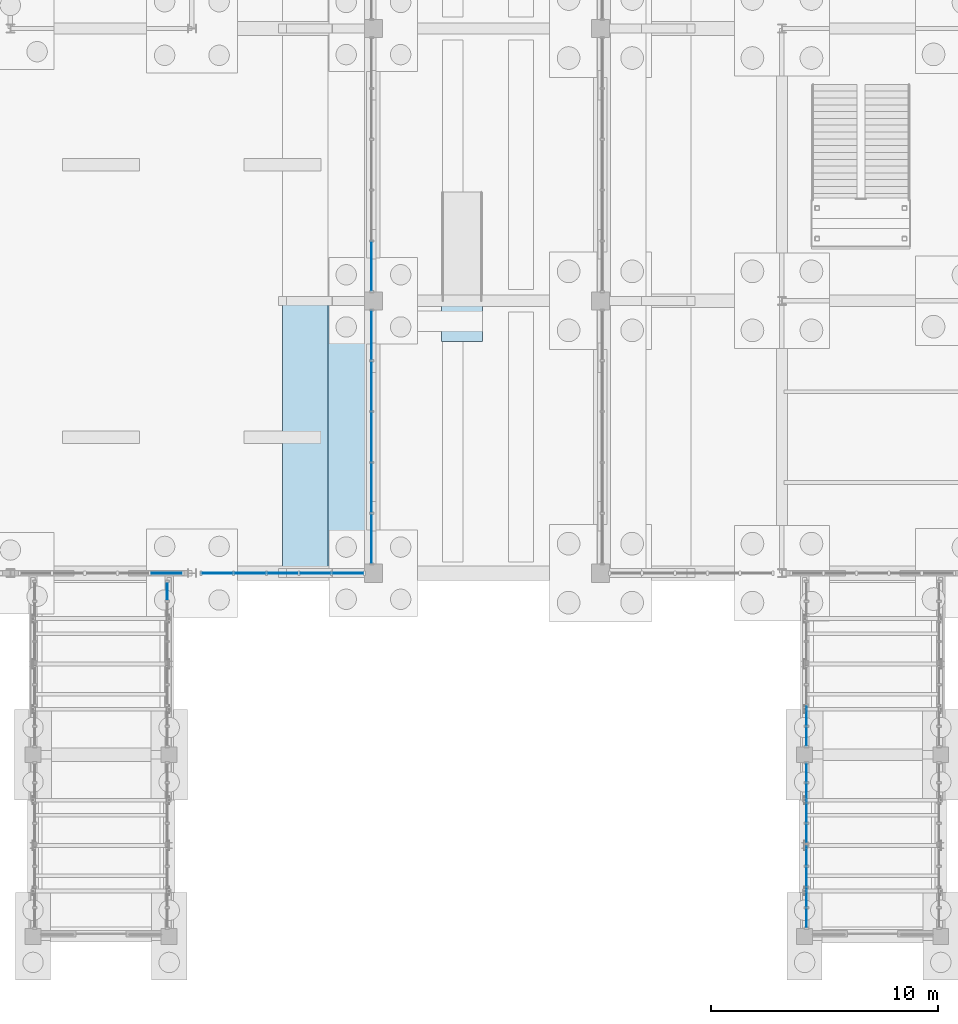
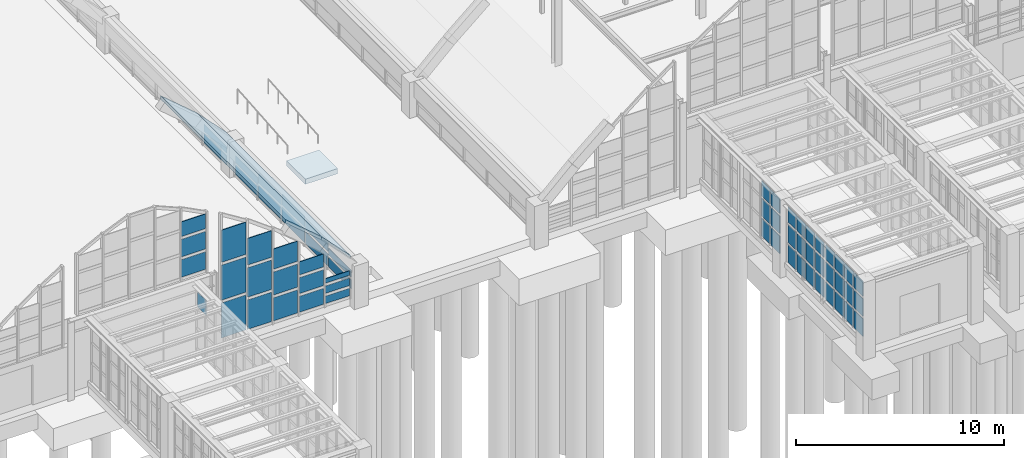
# One storey, part 79 of 129: 61 plates, 3 slabs, 9 elements without a shape of their own.
"""IFC4 building model written with IfcOpenShell, lengths in metres."""

from ifc_helpers import new_model, si_unit, direction, frame, origin, origin_2d, place, context, subcontext, project, spatial, polyline, rectangle, outline, extrude, material, layer, layer_set, type_object, element, aggregate, save


model = new_model("IFC4")

# Units and contexts
model_context = context("Model", 3, precision=1e-05, world=origin(), true_north=direction((0.0, 1.0)))
body_context = subcontext(model_context, "Body", "Model", "MODEL_VIEW")
ifc_project = project(units=[si_unit("LENGTHUNIT", "METRE"), si_unit("AREAUNIT", "SQUARE_METRE"), si_unit("VOLUMEUNIT", "CUBIC_METRE"), si_unit("PLANEANGLEUNIT", "RADIAN"), si_unit("MASSUNIT", "GRAM", prefix="KILO")], contexts=[model_context])

# Site, building, storey
site_placement = place(None, origin())
site = spatial("IfcSite", under=ifc_project, at=site_placement, CompositionType="ELEMENT")
building_placement = place(site_placement, origin())
building = spatial("IfcBuilding", under=site, at=building_placement, Name="Sitalva Quay Ferry Terminal", CompositionType="ELEMENT")
storey_placement = place(building_placement, origin())
storey = spatial("IfcBuildingStorey", under=building, at=storey_placement, Name="L01", CompositionType="ELEMENT", Elevation=0.0)

# Curtain wall, plates
ifc_material_1 = material(Name="Anodised Aluminium & Low-E Glazing", Category="aluminium")
ifc_layer_1 = layer(ifc_material_1, 0.159912109375)
ifc_layer_set_1 = layer_set([ifc_layer_1], Name="Anodised Aluminium & Low-E Glazing")
curtain_wall_type_1 = type_object("IfcCurtainWallType", Name="CW_VaultArch_Glazed", PredefinedType="USERDEFINED", material=ifc_layer_set_1)
curtain_wall_1_placement = place(storey_placement, origin())
curtain_wall_1 = element("IfcCurtainWall", 1, at=curtain_wall_1_placement, inside=storey, type_object=curtain_wall_type_1, Name="V2-E shallow-arch base glazing (CW-L01-013)", ObjectType="CURTAIN_WALL", PredefinedType="USERDEFINED")
ifc_material_2 = material(Name="Clear Low-Iron Arch Glazing", Category="glass")
ifc_layer_2 = layer(ifc_material_2, 0.02587890625)
ifc_layer_set_2 = layer_set([ifc_layer_2], Name="Clear Low-Iron Arch Glazing")
plate_type_1 = type_object("IfcPlateType", Name="Panel_Arch_IGU_26", PredefinedType="CURTAIN_PANEL", material=ifc_layer_set_2)
plate_1_placement = place(storey_placement, frame((31.919921875, 7.52001953125, 0.155029296875), z_axis=(0.0, 0.0, 1.0), x_axis=(0.0, 1.0, 0.0)))
plate_1 = element("IfcPlate", 2, at=plate_1_placement, type_object=plate_type_1, Name="CW-L01-013-P0-0", PredefinedType="CURTAIN_PANEL", context=body_context, shape_type="SweptSolid", body=[
    extrude(rectangle(XDim=2.169921875, YDim=0.02587890625, at=origin_2d()), origin(), (0.0, 0.0, 1.0), 0.544921875),
])
plate_2_placement = place(storey_placement, frame((31.919921875, 7.52001953125, 0.85498046875), z_axis=(0.0, 0.0, 1.0), x_axis=(0.0, 1.0, 0.0)))
plate_2 = element("IfcPlate", 3, at=plate_2_placement, type_object=plate_type_1, Name="CW-L01-013-P0-1", PredefinedType="CURTAIN_PANEL", context=body_context, shape_type="SweptSolid", body=[
    extrude(rectangle(XDim=2.169921875, YDim=0.02587890625, at=origin_2d()), origin(), (0.0, 0.0, 1.0), 0.389892578125),
])
plate_3_placement = place(storey_placement, frame((31.919921875, 9.760009765625, 0.1552734375), z_axis=(0.0, 0.0, 1.0), x_axis=(0.0, 1.0, 0.0)))
plate_3 = element("IfcPlate", 4, at=plate_3_placement, type_object=plate_type_1, Name="CW-L01-013-P1-0", PredefinedType="CURTAIN_PANEL", context=body_context, shape_type="SweptSolid", body=[
    extrude(rectangle(XDim=2.169921875, YDim=0.02587890625, at=origin_2d()), origin(), (0.0, 0.0, 1.0), 0.698486328125),
])
plate_4_placement = place(storey_placement, frame((31.919921875, 9.760009765625, 1.0087890625), z_axis=(0.0, 0.0, 1.0), x_axis=(0.0, 1.0, 0.0)))
plate_4 = element("IfcPlate", 5, at=plate_4_placement, type_object=plate_type_1, Name="CW-L01-013-P1-1", PredefinedType="CURTAIN_PANEL", context=body_context, shape_type="SweptSolid", body=[
    extrude(rectangle(XDim=2.169921875, YDim=0.02587890625, at=origin_2d()), origin(), (0.0, 0.0, 1.0), 0.543701171875),
])
plate_5_placement = place(storey_placement, frame((31.919921875, 12.0, 0.155029296875), z_axis=(0.0, 0.0, 1.0), x_axis=(0.0, 1.0, 0.0)))
plate_5 = element("IfcPlate", 6, at=plate_5_placement, type_object=plate_type_1, Name="CW-L01-013-P2-0", PredefinedType="CURTAIN_PANEL", context=body_context, shape_type="SweptSolid", body=[
    extrude(rectangle(XDim=2.169921875, YDim=0.02587890625, at=origin_2d()), origin(), (0.0, 0.0, 1.0), 0.775390625),
])
plate_6_placement = place(storey_placement, frame((31.919921875, 12.0, 1.08544921875), z_axis=(0.0, 0.0, 1.0), x_axis=(0.0, 1.0, 0.0)))
plate_6 = element("IfcPlate", 7, at=plate_6_placement, type_object=plate_type_1, Name="CW-L01-013-P2-1", PredefinedType="CURTAIN_PANEL", context=body_context, shape_type="SweptSolid", body=[
    extrude(rectangle(XDim=2.169921875, YDim=0.02587890625, at=origin_2d()), origin(), (0.0, 0.0, 1.0), 0.620361328125),
])
plate_7_placement = place(storey_placement, frame((31.919921875, 14.239990234375, 0.1552734375), z_axis=(0.0, 0.0, 1.0), x_axis=(0.0, 1.0, 0.0)))
plate_7 = element("IfcPlate", 8, at=plate_7_placement, type_object=plate_type_1, Name="CW-L01-013-P3-0", PredefinedType="CURTAIN_PANEL", context=body_context, shape_type="SweptSolid", body=[
    extrude(rectangle(XDim=2.169921875, YDim=0.02587890625, at=origin_2d()), origin(), (0.0, 0.0, 1.0), 0.698486328125),
])
plate_8_placement = place(storey_placement, frame((31.919921875, 14.239990234375, 1.0087890625), z_axis=(0.0, 0.0, 1.0), x_axis=(0.0, 1.0, 0.0)))
plate_8 = element("IfcPlate", 9, at=plate_8_placement, type_object=plate_type_1, Name="CW-L01-013-P3-1", PredefinedType="CURTAIN_PANEL", context=body_context, shape_type="SweptSolid", body=[
    extrude(rectangle(XDim=2.169921875, YDim=0.02587890625, at=origin_2d()), origin(), (0.0, 0.0, 1.0), 0.543701171875),
])
plate_9_placement = place(storey_placement, frame((31.919921875, 16.47998046875, 0.155029296875), z_axis=(0.0, 0.0, 1.0), x_axis=(0.0, 1.0, 0.0)))
plate_9 = element("IfcPlate", 10, at=plate_9_placement, type_object=plate_type_1, Name="CW-L01-013-P4-0", PredefinedType="CURTAIN_PANEL", context=body_context, shape_type="SweptSolid", body=[
    extrude(rectangle(XDim=2.169921875, YDim=0.02587890625, at=origin_2d()), origin(), (0.0, 0.0, 1.0), 0.544921875),
])
plate_10_placement = place(storey_placement, frame((31.919921875, 16.47998046875, 0.85498046875), z_axis=(0.0, 0.0, 1.0), x_axis=(0.0, 1.0, 0.0)))
plate_10 = element("IfcPlate", 11, at=plate_10_placement, type_object=plate_type_1, Name="CW-L01-013-P4-1", PredefinedType="CURTAIN_PANEL", context=body_context, shape_type="SweptSolid", body=[
    extrude(rectangle(XDim=2.169921875, YDim=0.02587890625, at=origin_2d()), origin(), (0.0, 0.0, 1.0), 0.389892578125),
])
aggregate(curtain_wall_1, [plate_1, plate_2, plate_3, plate_4, plate_5, plate_6, plate_7, plate_8, plate_9, plate_10])

curtain_wall_2_placement = place(storey_placement, origin())
curtain_wall_2 = element("IfcCurtainWall", 12, at=curtain_wall_2_placement, inside=storey, type_object=curtain_wall_type_1, Name="V2-E shallow-arch base glazing (CW-L01-016)", ObjectType="CURTAIN_WALL", PredefinedType="USERDEFINED")
plate_11_placement = place(storey_placement, frame((31.919921875, 19.52001953125, 0.155029296875), z_axis=(0.0, 0.0, 1.0), x_axis=(0.0, 1.0, 0.0)))
plate_11 = element("IfcPlate", 13, at=plate_11_placement, type_object=plate_type_1, Name="CW-L01-016-P0-0", PredefinedType="CURTAIN_PANEL", context=body_context, shape_type="SweptSolid", body=[
    extrude(rectangle(XDim=2.169921875, YDim=0.02587890625, at=origin_2d()), origin(), (0.0, 0.0, 1.0), 0.544921875),
])
plate_12_placement = place(storey_placement, frame((31.919921875, 19.52001953125, 0.85498046875), z_axis=(0.0, 0.0, 1.0), x_axis=(0.0, 1.0, 0.0)))
plate_12 = element("IfcPlate", 14, at=plate_12_placement, type_object=plate_type_1, Name="CW-L01-016-P0-1", PredefinedType="CURTAIN_PANEL", context=body_context, shape_type="SweptSolid", body=[
    extrude(rectangle(XDim=2.169921875, YDim=0.02587890625, at=origin_2d()), origin(), (0.0, 0.0, 1.0), 0.389892578125),
])
aggregate(curtain_wall_2, [plate_11, plate_12])

ifc_material_3 = material(Name="Anodised Aluminium & Low-E Glazing", Category="aluminium")
ifc_layer_3 = layer(ifc_material_3, 0.159912109375)
ifc_layer_set_3 = layer_set([ifc_layer_3], Name="Anodised Aluminium & Low-E Glazing")
curtain_wall_type_2 = type_object("IfcCurtainWallType", Name="CW_Gable_Unitised", PredefinedType="USERDEFINED", material=ifc_layer_set_3)
curtain_wall_3_placement = place(storey_placement, origin())
curtain_wall_3 = element("IfcCurtainWall", 15, at=curtain_wall_3_placement, inside=storey, type_object=curtain_wall_type_2, Name="V2 south gable apex glazing (CW-L01-003)", ObjectType="CURTAIN_WALL", PredefinedType="USERDEFINED")
ifc_material_4 = material(Name="Acoustic Laminated Marine Glazing", Category="glass")
ifc_layer_4 = layer(ifc_material_4, 0.033935546875)
ifc_layer_set_4 = layer_set([ifc_layer_4], Name="Acoustic Laminated Marine Glazing")
plate_type_2 = type_object("IfcPlateType", Name="Panel_Marine_IGU_34", PredefinedType="CURTAIN_PANEL", material=ifc_layer_set_4)
plate_13_placement = place(storey_placement, frame((22.8798828125, 6.0, 4.514892578125), z_axis=(0.0, 0.0, 1.0), x_axis=(1.0, 0.0, 0.0)))
plate_13 = element("IfcPlate", 16, at=plate_13_placement, type_object=plate_type_2, Name="CW-L01-003-P4-0", PredefinedType="CURTAIN_PANEL", context=body_context, shape_type="SweptSolid", body=[
    extrude(rectangle(XDim=1.35009765625, YDim=0.033935546875, at=origin_2d()), origin(), (0.0, 0.0, 1.0), 1.029296875),
])
plate_14_placement = place(storey_placement, frame((22.8798828125, 6.0, 5.709228515625), z_axis=(0.0, 0.0, 1.0), x_axis=(1.0, 0.0, 0.0)))
plate_14 = element("IfcPlate", 17, at=plate_14_placement, type_object=plate_type_2, Name="CW-L01-003-P4-1", PredefinedType="CURTAIN_PANEL", context=body_context, shape_type="SweptSolid", body=[
    extrude(rectangle(XDim=1.35009765625, YDim=0.033935546875, at=origin_2d()), origin(), (0.0, 0.0, 1.0), 1.029296875),
])
plate_15_placement = place(storey_placement, frame((22.8798828125, 6.0, 6.903564453125), z_axis=(0.0, 0.0, 1.0), x_axis=(1.0, 0.0, 0.0)))
plate_15 = element("IfcPlate", 18, at=plate_15_placement, type_object=plate_type_2, Name="CW-L01-003-P4-2", PredefinedType="CURTAIN_PANEL", context=body_context, shape_type="SweptSolid", body=[
    extrude(rectangle(XDim=1.35009765625, YDim=0.033935546875, at=origin_2d()), origin(), (0.0, 0.0, 1.0), 0.8642578125),
])
aggregate(curtain_wall_3, [plate_13, plate_14, plate_15])

curtain_wall_4_placement = place(storey_placement, origin())
curtain_wall_4 = element("IfcCurtainWall", 19, at=curtain_wall_4_placement, inside=storey, type_object=curtain_wall_type_2, Name="V2 south gable east pointed glazing (CW-L01-004)", ObjectType="CURTAIN_WALL", PredefinedType="USERDEFINED")
plate_16_placement = place(storey_placement, frame((25.1201171875, 6.0, 0.1650390625), z_axis=(0.0, 0.0, 1.0), x_axis=(1.0, 0.0, 0.0)))
plate_16 = element("IfcPlate", 20, at=plate_16_placement, type_object=plate_type_2, Name="CW-L01-004-P0-0", PredefinedType="CURTAIN_PANEL", context=body_context, shape_type="SweptSolid", body=[
    extrude(rectangle(XDim=1.35009765625, YDim=0.033935546875, at=origin_2d()), origin(), (0.0, 0.0, 1.0), 2.05615234375),
])
plate_17_placement = place(storey_placement, frame((25.1201171875, 6.0, 2.38623046875), z_axis=(0.0, 0.0, 1.0), x_axis=(1.0, 0.0, 0.0)))
plate_17 = element("IfcPlate", 21, at=plate_17_placement, type_object=plate_type_2, Name="CW-L01-004-P0-1", PredefinedType="CURTAIN_PANEL", context=body_context, shape_type="SweptSolid", body=[
    extrude(rectangle(XDim=1.35009765625, YDim=0.033935546875, at=origin_2d()), origin(), (0.0, 0.0, 1.0), 2.05615234375),
])
plate_18_placement = place(storey_placement, frame((25.1201171875, 6.0, 4.607177734375), z_axis=(0.0, 0.0, 1.0), x_axis=(1.0, 0.0, 0.0)))
plate_18 = element("IfcPlate", 22, at=plate_18_placement, type_object=plate_type_2, Name="CW-L01-004-P0-2", PredefinedType="CURTAIN_PANEL", context=body_context, shape_type="SweptSolid", body=[
    extrude(rectangle(XDim=1.35009765625, YDim=0.033935546875, at=origin_2d()), origin(), (0.0, 0.0, 1.0), 1.89111328125),
])
plate_19_placement = place(storey_placement, frame((26.56005859375, 6.0, 0.1650390625), z_axis=(0.0, 0.0, 1.0), x_axis=(1.0, 0.0, 0.0)))
plate_19 = element("IfcPlate", 23, at=plate_19_placement, type_object=plate_type_2, Name="CW-L01-004-P1-0", PredefinedType="CURTAIN_PANEL", context=body_context, shape_type="SweptSolid", body=[
    extrude(rectangle(XDim=1.35009765625, YDim=0.033935546875, at=origin_2d()), origin(), (0.0, 0.0, 1.0), 1.7236328125),
])
plate_20_placement = place(storey_placement, frame((26.56005859375, 6.0, 2.0537109375), z_axis=(0.0, 0.0, 1.0), x_axis=(1.0, 0.0, 0.0)))
plate_20 = element("IfcPlate", 24, at=plate_20_placement, type_object=plate_type_2, Name="CW-L01-004-P1-1", PredefinedType="CURTAIN_PANEL", context=body_context, shape_type="SweptSolid", body=[
    extrude(rectangle(XDim=1.35009765625, YDim=0.033935546875, at=origin_2d()), origin(), (0.0, 0.0, 1.0), 1.7236328125),
])
plate_21_placement = place(storey_placement, frame((26.56005859375, 6.0, 3.9423828125), z_axis=(0.0, 0.0, 1.0), x_axis=(1.0, 0.0, 0.0)))
plate_21 = element("IfcPlate", 25, at=plate_21_placement, type_object=plate_type_2, Name="CW-L01-004-P1-2", PredefinedType="CURTAIN_PANEL", context=body_context, shape_type="SweptSolid", body=[
    extrude(rectangle(XDim=1.35009765625, YDim=0.033935546875, at=origin_2d()), origin(), (0.0, 0.0, 1.0), 1.55859375),
])
plate_22_placement = place(storey_placement, frame((28.0, 6.0, 0.1650390625), z_axis=(0.0, 0.0, 1.0), x_axis=(1.0, 0.0, 0.0)))
plate_22 = element("IfcPlate", 26, at=plate_22_placement, type_object=plate_type_2, Name="CW-L01-004-P2-0", PredefinedType="CURTAIN_PANEL", context=body_context, shape_type="SweptSolid", body=[
    extrude(rectangle(XDim=1.35009765625, YDim=0.033935546875, at=origin_2d()), origin(), (0.0, 0.0, 1.0), 1.349853515625),
])
plate_23_placement = place(storey_placement, frame((28.0, 6.0, 1.68017578125), z_axis=(0.0, 0.0, 1.0), x_axis=(1.0, 0.0, 0.0)))
plate_23 = element("IfcPlate", 27, at=plate_23_placement, type_object=plate_type_2, Name="CW-L01-004-P2-1", PredefinedType="CURTAIN_PANEL", context=body_context, shape_type="SweptSolid", body=[
    extrude(rectangle(XDim=1.35009765625, YDim=0.033935546875, at=origin_2d()), origin(), (0.0, 0.0, 1.0), 1.349853515625),
])
plate_24_placement = place(storey_placement, frame((28.0, 6.0, 3.19482421875), z_axis=(0.0, 0.0, 1.0), x_axis=(1.0, 0.0, 0.0)))
plate_24 = element("IfcPlate", 28, at=plate_24_placement, type_object=plate_type_2, Name="CW-L01-004-P2-2", PredefinedType="CURTAIN_PANEL", context=body_context, shape_type="SweptSolid", body=[
    extrude(rectangle(XDim=1.35009765625, YDim=0.033935546875, at=origin_2d()), origin(), (0.0, 0.0, 1.0), 1.184814453125),
])
plate_25_placement = place(storey_placement, frame((29.43994140625, 6.0, 0.1650390625), z_axis=(0.0, 0.0, 1.0), x_axis=(1.0, 0.0, 0.0)))
plate_25 = element("IfcPlate", 29, at=plate_25_placement, type_object=plate_type_2, Name="CW-L01-004-P3-0", PredefinedType="CURTAIN_PANEL", context=body_context, shape_type="SweptSolid", body=[
    extrude(rectangle(XDim=1.35009765625, YDim=0.033935546875, at=origin_2d()), origin(), (0.0, 0.0, 1.0), 0.931396484375),
])
plate_26_placement = place(storey_placement, frame((29.43994140625, 6.0, 1.26123046875), z_axis=(0.0, 0.0, 1.0), x_axis=(1.0, 0.0, 0.0)))
plate_26 = element("IfcPlate", 30, at=plate_26_placement, type_object=plate_type_2, Name="CW-L01-004-P3-1", PredefinedType="CURTAIN_PANEL", context=body_context, shape_type="SweptSolid", body=[
    extrude(rectangle(XDim=1.35009765625, YDim=0.033935546875, at=origin_2d()), origin(), (0.0, 0.0, 1.0), 0.931396484375),
])
plate_27_placement = place(storey_placement, frame((29.43994140625, 6.0, 2.357421875), z_axis=(0.0, 0.0, 1.0), x_axis=(1.0, 0.0, 0.0)))
plate_27 = element("IfcPlate", 31, at=plate_27_placement, type_object=plate_type_2, Name="CW-L01-004-P3-2", PredefinedType="CURTAIN_PANEL", context=body_context, shape_type="SweptSolid", body=[
    extrude(rectangle(XDim=1.35009765625, YDim=0.033935546875, at=origin_2d()), origin(), (0.0, 0.0, 1.0), 0.766357421875),
])
plate_28_placement = place(storey_placement, frame((30.8798828125, 6.0, 0.1650390625), z_axis=(0.0, 0.0, 1.0), x_axis=(1.0, 0.0, 0.0)))
plate_28 = element("IfcPlate", 32, at=plate_28_placement, type_object=plate_type_2, Name="CW-L01-004-P4-0", PredefinedType="CURTAIN_PANEL", context=body_context, shape_type="SweptSolid", body=[
    extrude(rectangle(XDim=1.35009765625, YDim=0.033935546875, at=origin_2d()), origin(), (0.0, 0.0, 1.0), 0.433349609375),
])
plate_29_placement = place(storey_placement, frame((30.8798828125, 6.0, 0.76318359375), z_axis=(0.0, 0.0, 1.0), x_axis=(1.0, 0.0, 0.0)))
plate_29 = element("IfcPlate", 33, at=plate_29_placement, type_object=plate_type_2, Name="CW-L01-004-P4-1", PredefinedType="CURTAIN_PANEL", context=body_context, shape_type="SweptSolid", body=[
    extrude(rectangle(XDim=1.35009765625, YDim=0.033935546875, at=origin_2d()), origin(), (0.0, 0.0, 1.0), 0.433349609375),
])
plate_30_placement = place(storey_placement, frame((30.8798828125, 6.0, 1.36181640625), z_axis=(0.0, 0.0, 1.0), x_axis=(1.0, 0.0, 0.0)))
plate_30 = element("IfcPlate", 34, at=plate_30_placement, type_object=plate_type_2, Name="CW-L01-004-P4-2", PredefinedType="CURTAIN_PANEL", context=body_context, shape_type="SweptSolid", body=[
    extrude(rectangle(XDim=1.35009765625, YDim=0.033935546875, at=origin_2d()), origin(), (0.0, 0.0, 1.0), 0.268310546875),
])
aggregate(curtain_wall_4, [plate_16, plate_17, plate_18, plate_19, plate_20, plate_21, plate_22, plate_23, plate_24, plate_25, plate_26, plate_27, plate_28, plate_29, plate_30])

# Curtain wall, plate
ifc_material_5 = material(Name="Anodised Aluminium & Low-E Glazing", Category="aluminium")
ifc_layer_5 = layer(ifc_material_5, 0.159912109375)
ifc_layer_set_5 = layer_set([ifc_layer_5], Name="Anodised Aluminium & Low-E Glazing")
curtain_wall_type_3 = type_object("IfcCurtainWallType", Name="CW_Bridge_Glazed", PredefinedType="USERDEFINED", material=ifc_layer_set_5)
curtain_wall_5_placement = place(storey_placement, origin())
curtain_wall_5 = element("IfcCurtainWall", 35, at=curtain_wall_5_placement, inside=storey, type_object=curtain_wall_type_3, Name="Boarding bridge BB1 E4 side glazing (CW-L01-040)", ObjectType="CURTAIN_WALL", PredefinedType="USERDEFINED")
plate_31_placement = place(storey_placement, frame((22.919921875, 5.206298828125, 2.75341796875), z_axis=(0.0, 0.0, 1.0), x_axis=(0.0, 1.0, 0.0)))
plate_31 = element("IfcPlate", 36, at=plate_31_placement, type_object=plate_type_2, Name="CW-L01-040-P3-2", PredefinedType="CURTAIN_PANEL", context=body_context, shape_type="SweptSolid", body=[
    extrude(rectangle(XDim=0.8076171875, YDim=0.033935546875, at=origin_2d()), origin(), (0.0, 0.0, 1.0), 0.876708984375),
])
aggregate(curtain_wall_5, [plate_31])

# Curtain wall, plates
curtain_wall_6_placement = place(storey_placement, origin())
curtain_wall_6 = element("IfcCurtainWall", 37, at=curtain_wall_6_placement, inside=storey, type_object=curtain_wall_type_3, Name="Boarding bridge BB2 W1 side glazing (CW-L01-041)", ObjectType="CURTAIN_WALL", PredefinedType="USERDEFINED")
plate_32_placement = place(storey_placement, frame((51.080078125, -9.19384765625, 0.39990234375), z_axis=(0.0, 0.0, 1.0), x_axis=(0.0, 1.0, 0.0)))
plate_32 = element("IfcPlate", 38, at=plate_32_placement, type_object=plate_type_2, Name="CW-L01-041-P0-0", PredefinedType="CURTAIN_PANEL", context=body_context, shape_type="SweptSolid", body=[
    extrude(rectangle(XDim=0.83251953125, YDim=0.033935546875, at=origin_2d()), origin(), (0.0, 0.0, 1.0), 1.026611328125),
])
plate_33_placement = place(storey_placement, frame((51.080078125, -9.19384765625, 1.57666015625), z_axis=(0.0, 0.0, 1.0), x_axis=(0.0, 1.0, 0.0)))
plate_33 = element("IfcPlate", 39, at=plate_33_placement, type_object=plate_type_2, Name="CW-L01-041-P0-1", PredefinedType="CURTAIN_PANEL", context=body_context, shape_type="SweptSolid", body=[
    extrude(rectangle(XDim=0.83251953125, YDim=0.033935546875, at=origin_2d()), origin(), (0.0, 0.0, 1.0), 1.026611328125),
])
plate_34_placement = place(storey_placement, frame((51.080078125, -9.19384765625, 2.75341796875), z_axis=(0.0, 0.0, 1.0), x_axis=(0.0, 1.0, 0.0)))
plate_34 = element("IfcPlate", 40, at=plate_34_placement, type_object=plate_type_2, Name="CW-L01-041-P0-2", PredefinedType="CURTAIN_PANEL", context=body_context, shape_type="SweptSolid", body=[
    extrude(rectangle(XDim=0.83251953125, YDim=0.033935546875, at=origin_2d()), origin(), (0.0, 0.0, 1.0), 0.876708984375),
])
plate_35_placement = place(storey_placement, frame((51.080078125, -8.28125, 0.39990234375), z_axis=(0.0, 0.0, 1.0), x_axis=(0.0, 1.0, 0.0)))
plate_35 = element("IfcPlate", 41, at=plate_35_placement, type_object=plate_type_2, Name="CW-L01-041-P1-0", PredefinedType="CURTAIN_PANEL", context=body_context, shape_type="SweptSolid", body=[
    extrude(rectangle(XDim=0.83251953125, YDim=0.033935546875, at=origin_2d()), origin(), (0.0, 0.0, 1.0), 1.026611328125),
])
plate_36_placement = place(storey_placement, frame((51.080078125, -8.28125, 1.57666015625), z_axis=(0.0, 0.0, 1.0), x_axis=(0.0, 1.0, 0.0)))
plate_36 = element("IfcPlate", 42, at=plate_36_placement, type_object=plate_type_2, Name="CW-L01-041-P1-1", PredefinedType="CURTAIN_PANEL", context=body_context, shape_type="SweptSolid", body=[
    extrude(rectangle(XDim=0.83251953125, YDim=0.033935546875, at=origin_2d()), origin(), (0.0, 0.0, 1.0), 1.026611328125),
])
plate_37_placement = place(storey_placement, frame((51.080078125, -8.28125, 2.75341796875), z_axis=(0.0, 0.0, 1.0), x_axis=(0.0, 1.0, 0.0)))
plate_37 = element("IfcPlate", 43, at=plate_37_placement, type_object=plate_type_2, Name="CW-L01-041-P1-2", PredefinedType="CURTAIN_PANEL", context=body_context, shape_type="SweptSolid", body=[
    extrude(rectangle(XDim=0.83251953125, YDim=0.033935546875, at=origin_2d()), origin(), (0.0, 0.0, 1.0), 0.876708984375),
])
plate_38_placement = place(storey_placement, frame((51.080078125, -7.36865234375, 0.39990234375), z_axis=(0.0, 0.0, 1.0), x_axis=(0.0, 1.0, 0.0)))
plate_38 = element("IfcPlate", 44, at=plate_38_placement, type_object=plate_type_2, Name="CW-L01-041-P2-0", PredefinedType="CURTAIN_PANEL", context=body_context, shape_type="SweptSolid", body=[
    extrude(rectangle(XDim=0.83251953125, YDim=0.033935546875, at=origin_2d()), origin(), (0.0, 0.0, 1.0), 1.026611328125),
])
plate_39_placement = place(storey_placement, frame((51.080078125, -7.36865234375, 1.57666015625), z_axis=(0.0, 0.0, 1.0), x_axis=(0.0, 1.0, 0.0)))
plate_39 = element("IfcPlate", 45, at=plate_39_placement, type_object=plate_type_2, Name="CW-L01-041-P2-1", PredefinedType="CURTAIN_PANEL", context=body_context, shape_type="SweptSolid", body=[
    extrude(rectangle(XDim=0.83251953125, YDim=0.033935546875, at=origin_2d()), origin(), (0.0, 0.0, 1.0), 1.026611328125),
])
plate_40_placement = place(storey_placement, frame((51.080078125, -7.36865234375, 2.75341796875), z_axis=(0.0, 0.0, 1.0), x_axis=(0.0, 1.0, 0.0)))
plate_40 = element("IfcPlate", 46, at=plate_40_placement, type_object=plate_type_2, Name="CW-L01-041-P2-2", PredefinedType="CURTAIN_PANEL", context=body_context, shape_type="SweptSolid", body=[
    extrude(rectangle(XDim=0.83251953125, YDim=0.033935546875, at=origin_2d()), origin(), (0.0, 0.0, 1.0), 0.876708984375),
])
plate_41_placement = place(storey_placement, frame((51.080078125, -6.456298828125, 0.39990234375), z_axis=(0.0, 0.0, 1.0), x_axis=(0.0, 1.0, 0.0)))
plate_41 = element("IfcPlate", 47, at=plate_41_placement, type_object=plate_type_2, Name="CW-L01-041-P3-0", PredefinedType="CURTAIN_PANEL", context=body_context, shape_type="SweptSolid", body=[
    extrude(rectangle(XDim=0.83251953125, YDim=0.033935546875, at=origin_2d()), origin(), (0.0, 0.0, 1.0), 1.026611328125),
])
plate_42_placement = place(storey_placement, frame((51.080078125, -6.456298828125, 1.57666015625), z_axis=(0.0, 0.0, 1.0), x_axis=(0.0, 1.0, 0.0)))
plate_42 = element("IfcPlate", 48, at=plate_42_placement, type_object=plate_type_2, Name="CW-L01-041-P3-1", PredefinedType="CURTAIN_PANEL", context=body_context, shape_type="SweptSolid", body=[
    extrude(rectangle(XDim=0.83251953125, YDim=0.033935546875, at=origin_2d()), origin(), (0.0, 0.0, 1.0), 1.026611328125),
])
plate_43_placement = place(storey_placement, frame((51.080078125, -6.456298828125, 2.75341796875), z_axis=(0.0, 0.0, 1.0), x_axis=(0.0, 1.0, 0.0)))
plate_43 = element("IfcPlate", 49, at=plate_43_placement, type_object=plate_type_2, Name="CW-L01-041-P3-2", PredefinedType="CURTAIN_PANEL", context=body_context, shape_type="SweptSolid", body=[
    extrude(rectangle(XDim=0.83251953125, YDim=0.033935546875, at=origin_2d()), origin(), (0.0, 0.0, 1.0), 0.876708984375),
])
aggregate(curtain_wall_6, [plate_32, plate_33, plate_34, plate_35, plate_36, plate_37, plate_38, plate_39, plate_40, plate_41, plate_42, plate_43])

curtain_wall_7_placement = place(storey_placement, origin())
curtain_wall_7 = element("IfcCurtainWall", 50, at=curtain_wall_7_placement, inside=storey, type_object=curtain_wall_type_3, Name="Boarding bridge BB2 W2 side glazing (CW-L01-042)", ObjectType="CURTAIN_WALL", PredefinedType="USERDEFINED")
plate_44_placement = place(storey_placement, frame((51.080078125, -5.456298828125, 0.39990234375), z_axis=(0.0, 0.0, 1.0), x_axis=(0.0, 1.0, 0.0)))
plate_44 = element("IfcPlate", 51, at=plate_44_placement, type_object=plate_type_2, Name="CW-L01-042-P0-0", PredefinedType="CURTAIN_PANEL", context=body_context, shape_type="SweptSolid", body=[
    extrude(rectangle(XDim=0.8076171875, YDim=0.033935546875, at=origin_2d()), origin(), (0.0, 0.0, 1.0), 1.026611328125),
])
plate_45_placement = place(storey_placement, frame((51.080078125, -5.456298828125, 1.57666015625), z_axis=(0.0, 0.0, 1.0), x_axis=(0.0, 1.0, 0.0)))
plate_45 = element("IfcPlate", 52, at=plate_45_placement, type_object=plate_type_2, Name="CW-L01-042-P0-1", PredefinedType="CURTAIN_PANEL", context=body_context, shape_type="SweptSolid", body=[
    extrude(rectangle(XDim=0.8076171875, YDim=0.033935546875, at=origin_2d()), origin(), (0.0, 0.0, 1.0), 1.026611328125),
])
plate_46_placement = place(storey_placement, frame((51.080078125, -5.456298828125, 2.75341796875), z_axis=(0.0, 0.0, 1.0), x_axis=(0.0, 1.0, 0.0)))
plate_46 = element("IfcPlate", 53, at=plate_46_placement, type_object=plate_type_2, Name="CW-L01-042-P0-2", PredefinedType="CURTAIN_PANEL", context=body_context, shape_type="SweptSolid", body=[
    extrude(rectangle(XDim=0.8076171875, YDim=0.033935546875, at=origin_2d()), origin(), (0.0, 0.0, 1.0), 0.876708984375),
])
plate_47_placement = place(storey_placement, frame((51.080078125, -4.56884765625, 0.39990234375), z_axis=(0.0, 0.0, 1.0), x_axis=(0.0, 1.0, 0.0)))
plate_47 = element("IfcPlate", 54, at=plate_47_placement, type_object=plate_type_2, Name="CW-L01-042-P1-0", PredefinedType="CURTAIN_PANEL", context=body_context, shape_type="SweptSolid", body=[
    extrude(rectangle(XDim=0.8076171875, YDim=0.033935546875, at=origin_2d()), origin(), (0.0, 0.0, 1.0), 1.026611328125),
])
plate_48_placement = place(storey_placement, frame((51.080078125, -4.56884765625, 1.57666015625), z_axis=(0.0, 0.0, 1.0), x_axis=(0.0, 1.0, 0.0)))
plate_48 = element("IfcPlate", 55, at=plate_48_placement, type_object=plate_type_2, Name="CW-L01-042-P1-1", PredefinedType="CURTAIN_PANEL", context=body_context, shape_type="SweptSolid", body=[
    extrude(rectangle(XDim=0.8076171875, YDim=0.033935546875, at=origin_2d()), origin(), (0.0, 0.0, 1.0), 1.026611328125),
])
plate_49_placement = place(storey_placement, frame((51.080078125, -4.56884765625, 2.75341796875), z_axis=(0.0, 0.0, 1.0), x_axis=(0.0, 1.0, 0.0)))
plate_49 = element("IfcPlate", 56, at=plate_49_placement, type_object=plate_type_2, Name="CW-L01-042-P1-2", PredefinedType="CURTAIN_PANEL", context=body_context, shape_type="SweptSolid", body=[
    extrude(rectangle(XDim=0.8076171875, YDim=0.033935546875, at=origin_2d()), origin(), (0.0, 0.0, 1.0), 0.876708984375),
])
plate_50_placement = place(storey_placement, frame((51.080078125, -3.68115234375, 0.39990234375), z_axis=(0.0, 0.0, 1.0), x_axis=(0.0, 1.0, 0.0)))
plate_50 = element("IfcPlate", 57, at=plate_50_placement, type_object=plate_type_2, Name="CW-L01-042-P2-0", PredefinedType="CURTAIN_PANEL", context=body_context, shape_type="SweptSolid", body=[
    extrude(rectangle(XDim=0.8076171875, YDim=0.033935546875, at=origin_2d()), origin(), (0.0, 0.0, 1.0), 1.026611328125),
])
plate_51_placement = place(storey_placement, frame((51.080078125, -3.68115234375, 1.57666015625), z_axis=(0.0, 0.0, 1.0), x_axis=(0.0, 1.0, 0.0)))
plate_51 = element("IfcPlate", 58, at=plate_51_placement, type_object=plate_type_2, Name="CW-L01-042-P2-1", PredefinedType="CURTAIN_PANEL", context=body_context, shape_type="SweptSolid", body=[
    extrude(rectangle(XDim=0.8076171875, YDim=0.033935546875, at=origin_2d()), origin(), (0.0, 0.0, 1.0), 1.026611328125),
])
plate_52_placement = place(storey_placement, frame((51.080078125, -3.68115234375, 2.75341796875), z_axis=(0.0, 0.0, 1.0), x_axis=(0.0, 1.0, 0.0)))
plate_52 = element("IfcPlate", 59, at=plate_52_placement, type_object=plate_type_2, Name="CW-L01-042-P2-2", PredefinedType="CURTAIN_PANEL", context=body_context, shape_type="SweptSolid", body=[
    extrude(rectangle(XDim=0.8076171875, YDim=0.033935546875, at=origin_2d()), origin(), (0.0, 0.0, 1.0), 0.876708984375),
])
plate_53_placement = place(storey_placement, frame((51.080078125, -2.793701171875, 0.39990234375), z_axis=(0.0, 0.0, 1.0), x_axis=(0.0, 1.0, 0.0)))
plate_53 = element("IfcPlate", 60, at=plate_53_placement, type_object=plate_type_2, Name="CW-L01-042-P3-0", PredefinedType="CURTAIN_PANEL", context=body_context, shape_type="SweptSolid", body=[
    extrude(rectangle(XDim=0.8076171875, YDim=0.033935546875, at=origin_2d()), origin(), (0.0, 0.0, 1.0), 1.026611328125),
])
plate_54_placement = place(storey_placement, frame((51.080078125, -2.793701171875, 1.57666015625), z_axis=(0.0, 0.0, 1.0), x_axis=(0.0, 1.0, 0.0)))
plate_54 = element("IfcPlate", 61, at=plate_54_placement, type_object=plate_type_2, Name="CW-L01-042-P3-1", PredefinedType="CURTAIN_PANEL", context=body_context, shape_type="SweptSolid", body=[
    extrude(rectangle(XDim=0.8076171875, YDim=0.033935546875, at=origin_2d()), origin(), (0.0, 0.0, 1.0), 1.026611328125),
])
plate_55_placement = place(storey_placement, frame((51.080078125, -2.793701171875, 2.75341796875), z_axis=(0.0, 0.0, 1.0), x_axis=(0.0, 1.0, 0.0)))
plate_55 = element("IfcPlate", 62, at=plate_55_placement, type_object=plate_type_2, Name="CW-L01-042-P3-2", PredefinedType="CURTAIN_PANEL", context=body_context, shape_type="SweptSolid", body=[
    extrude(rectangle(XDim=0.8076171875, YDim=0.033935546875, at=origin_2d()), origin(), (0.0, 0.0, 1.0), 0.876708984375),
])
aggregate(curtain_wall_7, [plate_44, plate_45, plate_46, plate_47, plate_48, plate_49, plate_50, plate_51, plate_52, plate_53, plate_54, plate_55])

curtain_wall_8_placement = place(storey_placement, origin())
curtain_wall_8 = element("IfcCurtainWall", 63, at=curtain_wall_8_placement, inside=storey, type_object=curtain_wall_type_3, Name="Boarding bridge BB2 W3 side glazing (CW-L01-043)", ObjectType="CURTAIN_WALL", PredefinedType="USERDEFINED")
plate_56_placement = place(storey_placement, frame((51.080078125, -1.19384765625, 0.39990234375), z_axis=(0.0, 0.0, 1.0), x_axis=(0.0, 1.0, 0.0)))
plate_56 = element("IfcPlate", 64, at=plate_56_placement, type_object=plate_type_2, Name="CW-L01-043-P0-0", PredefinedType="CURTAIN_PANEL", context=body_context, shape_type="SweptSolid", body=[
    extrude(rectangle(XDim=0.83251953125, YDim=0.033935546875, at=origin_2d()), origin(), (0.0, 0.0, 1.0), 1.026611328125),
])
plate_57_placement = place(storey_placement, frame((51.080078125, -1.19384765625, 1.57666015625), z_axis=(0.0, 0.0, 1.0), x_axis=(0.0, 1.0, 0.0)))
plate_57 = element("IfcPlate", 65, at=plate_57_placement, type_object=plate_type_2, Name="CW-L01-043-P0-1", PredefinedType="CURTAIN_PANEL", context=body_context, shape_type="SweptSolid", body=[
    extrude(rectangle(XDim=0.83251953125, YDim=0.033935546875, at=origin_2d()), origin(), (0.0, 0.0, 1.0), 1.026611328125),
])
plate_58_placement = place(storey_placement, frame((51.080078125, -1.19384765625, 2.75341796875), z_axis=(0.0, 0.0, 1.0), x_axis=(0.0, 1.0, 0.0)))
plate_58 = element("IfcPlate", 66, at=plate_58_placement, type_object=plate_type_2, Name="CW-L01-043-P0-2", PredefinedType="CURTAIN_PANEL", context=body_context, shape_type="SweptSolid", body=[
    extrude(rectangle(XDim=0.83251953125, YDim=0.033935546875, at=origin_2d()), origin(), (0.0, 0.0, 1.0), 0.876708984375),
])
plate_59_placement = place(storey_placement, frame((51.080078125, -0.28125, 0.39990234375), z_axis=(0.0, 0.0, 1.0), x_axis=(0.0, 1.0, 0.0)))
plate_59 = element("IfcPlate", 67, at=plate_59_placement, type_object=plate_type_2, Name="CW-L01-043-P1-0", PredefinedType="CURTAIN_PANEL", context=body_context, shape_type="SweptSolid", body=[
    extrude(rectangle(XDim=0.83251953125, YDim=0.033935546875, at=origin_2d()), origin(), (0.0, 0.0, 1.0), 1.026611328125),
])
plate_60_placement = place(storey_placement, frame((51.080078125, -0.28125, 1.57666015625), z_axis=(0.0, 0.0, 1.0), x_axis=(0.0, 1.0, 0.0)))
plate_60 = element("IfcPlate", 68, at=plate_60_placement, type_object=plate_type_2, Name="CW-L01-043-P1-1", PredefinedType="CURTAIN_PANEL", context=body_context, shape_type="SweptSolid", body=[
    extrude(rectangle(XDim=0.83251953125, YDim=0.033935546875, at=origin_2d()), origin(), (0.0, 0.0, 1.0), 1.026611328125),
])
plate_61_placement = place(storey_placement, frame((51.080078125, -0.28125, 2.75341796875), z_axis=(0.0, 0.0, 1.0), x_axis=(0.0, 1.0, 0.0)))
plate_61 = element("IfcPlate", 69, at=plate_61_placement, type_object=plate_type_2, Name="CW-L01-043-P1-2", PredefinedType="CURTAIN_PANEL", context=body_context, shape_type="SweptSolid", body=[
    extrude(rectangle(XDim=0.83251953125, YDim=0.033935546875, at=origin_2d()), origin(), (0.0, 0.0, 1.0), 0.876708984375),
])
aggregate(curtain_wall_8, [plate_56, plate_57, plate_58, plate_59, plate_60, plate_61])

# Slabs
ifc_material_6 = material(Name="Concrete C40/50", Category="concrete")
ifc_layer_6 = layer(ifc_material_6, 0.159912109375)
ifc_layer_set_6 = layer_set([ifc_layer_6], Name="Concrete C40/50")
slab_type_1 = type_object("IfcSlabType", Name="Slab_PointedVaultShell_160", PredefinedType="ROOF", material=ifc_layer_set_6)
slab_1_placement = place(storey_placement, frame((28.0, 6.0, 5.8779296875), z_axis=(0.648338785368, 0.0, 0.761351968138), x_axis=(0.761351968138, 0.0, -0.648338785368)))
element("IfcSlab", 70, at=slab_1_placement, inside=storey, type_object=slab_type_1, Name="Vault V2 pointed shell facet B1-F11", PredefinedType="ROOF", context=body_context, shape_type="SweptSolid", body=[
    extrude(outline(polyline([(0.0, 0.0), (2.6269059301057966, 0.0), (2.6269059301057966, 12.0), (0.0, 12.0), (0.0, 0.0)])), origin(), (0.648338785368, 0.0, -0.761351968138), 0.210205078125),
])
slab_2_placement = place(storey_placement, frame((30.0, 6.0, 4.1748046875), z_axis=(0.71995626628, 0.0, 0.69401943391), x_axis=(0.69401943391, 0.0, -0.71995626628)))
element("IfcSlab", 71, at=slab_2_placement, inside=storey, type_object=slab_type_1, Name="Vault V2 pointed shell facet B1-F12", PredefinedType="ROOF", context=body_context, shape_type="SweptSolid", body=[
    extrude(outline(polyline([(0.0, 0.0), (2.3343974366443936, 0.0), (2.3343974366443936, 12.0), (0.0, 12.0), (0.0, 0.0)])), origin(), (0.71995626628, 0.0, -0.69401943391), 0.23046875),
])

# Ramp, slab
ifc_material_7 = material(Name="Concrete C35/45", Category="concrete")
ifc_layer_7 = layer(ifc_material_7, 0.25)
ifc_layer_set_7 = layer_set([ifc_layer_7], Name="Concrete C35/45")
ramp_type = type_object("IfcRampType", Name="Ramp_PedestrianAccess_1800", PredefinedType="STRAIGHT_RUN_RAMP", material=ifc_layer_set_7)
ramp_placement = place(storey_placement, origin())
ramp = element("IfcRamp", 72, at=ramp_placement, inside=storey, type_object=ramp_type, Name="Central monsoon garden court accessible ramp", PredefinedType="STRAIGHT_RUN_RAMP")
ifc_material_8 = material(Name="Concrete C35/45", Category="concrete")
ifc_layer_8 = layer(ifc_material_8, 0.300048828125)
ifc_layer_set_8 = layer_set([ifc_layer_8], Name="Concrete C35/45")
slab_type_2 = type_object("IfcSlabType", Name="Slab_RampLanding_300", PredefinedType="LANDING", material=ifc_layer_set_8)
slab_3_placement = place(storey_placement, frame((0.0, 0.0, -0.699951171875)))
slab_3 = element("IfcSlab", 73, at=slab_3_placement, type_object=slab_type_2, Name="Central monsoon garden court accessible ramp bottom landing", PredefinedType="LANDING", context=body_context, shape_type="SweptSolid", body=[
    extrude(outline(polyline([(35.0, 16.199951171875), (36.800048828125, 16.199951171875), (36.800048828125, 18.0), (35.0, 18.0), (35.0, 16.199951171875)])), origin(), (0.0, 0.0, 1.0), 0.300048828125),
])
aggregate(ramp, [slab_3])

save(model, "model.ifc")
